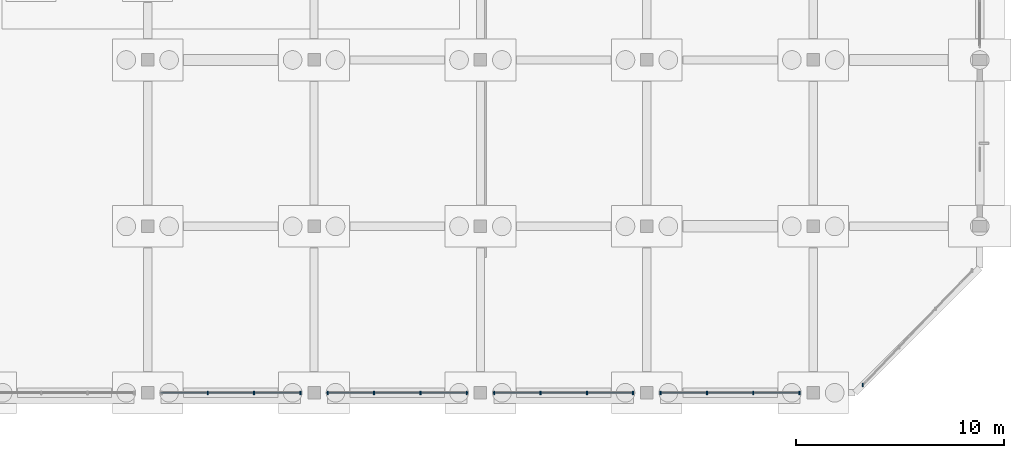
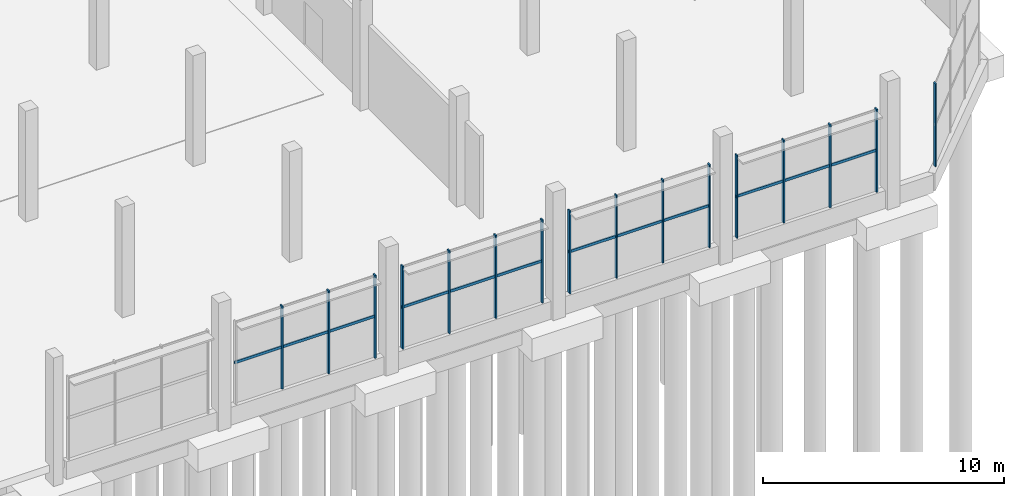
# One storey, part 49 of 98: 20 members, 5 elements without a shape of their own.
"""IFC4 building model written with IfcOpenShell, lengths in metres."""

from ifc_helpers import new_model, si_unit, derived_unit, direction, frame, origin, origin_2d, place, context, subcontext, project, spatial, rectangle, extrude, material, layer, layer_set, material_profile, profile_set, type_object, element, aggregate, save


model = new_model("IFC4")

# Units and contexts
model_context = context("Model", 3, precision=1e-05, world=origin(), true_north=direction((0.0, 1.0)))
body_context = subcontext(model_context, "Body", "Model", "MODEL_VIEW")
ifc_project = project(units=[si_unit("LENGTHUNIT", "METRE"), si_unit("AREAUNIT", "SQUARE_METRE"), si_unit("VOLUMEUNIT", "CUBIC_METRE"), si_unit("PLANEANGLEUNIT", "RADIAN"), si_unit("MASSUNIT", "GRAM", prefix="KILO"), si_unit("THERMODYNAMICTEMPERATUREUNIT", "KELVIN"), derived_unit("THERMALTRANSMITTANCEUNIT", [(si_unit("POWERUNIT", "WATT"), 1), (si_unit("AREAUNIT", "SQUARE_METRE"), -1), (si_unit("THERMODYNAMICTEMPERATUREUNIT", "KELVIN"), -1)])], contexts=[model_context])

# Site, building, storey
site_placement = place(None, origin())
site = spatial("IfcSite", under=ifc_project, at=site_placement, CompositionType="ELEMENT")
building_placement = place(site_placement, origin())
building = spatial("IfcBuilding", under=site, at=building_placement, Name="Haiyu Intermodal Mobility Hub", CompositionType="ELEMENT")
storey_placement = place(building_placement, origin())
storey = spatial("IfcBuildingStorey", under=building, at=storey_placement, Name="L00", CompositionType="ELEMENT", Elevation=0.0)

# Curtain wall, members
ifc_material_1 = material(Name="Low-e laminated insulating glass", Category="glass")
ifc_layer = layer(ifc_material_1, 0.2099609375)
ifc_layer_set = layer_set([ifc_layer], Name="Low-e laminated insulating glass")
curtain_wall_type = type_object("IfcCurtainWallType", Name="CW-CW04", PredefinedType="NOTDEFINED", material=ifc_layer_set)
curtain_wall_1_placement = place(storey_placement, origin())
curtain_wall_1 = element("IfcCurtainWall", 1, at=curtain_wall_1_placement, inside=storey, type_object=curtain_wall_type, Name="Curtain Wall CW-V5S-L00-085", PredefinedType="NOTDEFINED")
ifc_material_2 = material(Name="Anodised aluminium 6063-T6", Category="aluminium")
ifc_material_profile_1 = material_profile(ifc_material_2, rectangle(XDim=0.06494140625, YDim=0.1650390625, at=origin_2d()), Name="ALU65x165")
ifc_profile_set_1 = profile_set([ifc_material_profile_1], Name="Anodised aluminium 6063-T6")
member_type_1 = type_object("IfcMemberType", Name="CWM-ML02", PredefinedType="MULLION", material=ifc_profile_set_1)
member_1_placement = place(storey_placement, frame((172.886962890625, 16.0, 0.0), z_axis=(0.0, 0.0, 1.0), x_axis=(1.0, 0.0, 0.0)))
member_1 = element("IfcMember", 2, at=member_1_placement, type_object=member_type_1, Name="CW-V5S-L00-085-ML02", PredefinedType="MULLION", context=body_context, shape_type="SweptSolid", body=[
    extrude(rectangle(XDim=0.06494140625, YDim=0.1650390625, at=origin_2d()), origin(), (0.0, 0.0, 1.0), 4.199951171875),
])
member_2_placement = place(storey_placement, frame((175.113037109375, 16.0, 0.0), z_axis=(0.0, 0.0, 1.0), x_axis=(1.0, 0.0, 0.0)))
member_2 = element("IfcMember", 3, at=member_2_placement, type_object=member_type_1, Name="CW-V5S-L00-085-ML03", PredefinedType="MULLION", context=body_context, shape_type="SweptSolid", body=[
    extrude(rectangle(XDim=0.06494140625, YDim=0.1650390625, at=origin_2d()), origin(), (0.0, 0.0, 1.0), 4.199951171875),
])
member_3_placement = place(storey_placement, frame((177.340087890625, 16.0, 0.0), z_axis=(0.0, 0.0, 1.0), x_axis=(1.0, 0.0, 0.0)))
member_3 = element("IfcMember", 4, at=member_3_placement, type_object=member_type_1, Name="CW-V5S-L00-085-ML04", PredefinedType="MULLION", context=body_context, shape_type="SweptSolid", body=[
    extrude(rectangle(XDim=0.06494140625, YDim=0.1650390625, at=origin_2d()), origin(), (0.0, 0.0, 1.0), 4.199951171875),
])

curtain_wall_2_placement = place(storey_placement, origin())
curtain_wall_2 = element("IfcCurtainWall", 5, at=curtain_wall_2_placement, inside=storey, type_object=curtain_wall_type, Name="Curtain Wall CW-V5S-L00-086", PredefinedType="NOTDEFINED")
member_4_placement = place(storey_placement, frame((178.659912109375, 16.0, 0.0), z_axis=(0.0, 0.0, 1.0), x_axis=(1.0, 0.0, 0.0)))
member_4 = element("IfcMember", 6, at=member_4_placement, type_object=member_type_1, Name="CW-V5S-L00-086-ML01", PredefinedType="MULLION", context=body_context, shape_type="SweptSolid", body=[
    extrude(rectangle(XDim=0.06494140625, YDim=0.1650390625, at=origin_2d()), origin(), (0.0, 0.0, 1.0), 4.199951171875),
])
member_5_placement = place(storey_placement, frame((180.886962890625, 16.0, 0.0), z_axis=(0.0, 0.0, 1.0), x_axis=(1.0, 0.0, 0.0)))
member_5 = element("IfcMember", 7, at=member_5_placement, type_object=member_type_1, Name="CW-V5S-L00-086-ML02", PredefinedType="MULLION", context=body_context, shape_type="SweptSolid", body=[
    extrude(rectangle(XDim=0.06494140625, YDim=0.1650390625, at=origin_2d()), origin(), (0.0, 0.0, 1.0), 4.199951171875),
])
member_6_placement = place(storey_placement, frame((183.113037109375, 16.0, 0.0), z_axis=(0.0, 0.0, 1.0), x_axis=(1.0, 0.0, 0.0)))
member_6 = element("IfcMember", 8, at=member_6_placement, type_object=member_type_1, Name="CW-V5S-L00-086-ML03", PredefinedType="MULLION", context=body_context, shape_type="SweptSolid", body=[
    extrude(rectangle(XDim=0.06494140625, YDim=0.1650390625, at=origin_2d()), origin(), (0.0, 0.0, 1.0), 4.199951171875),
])
member_7_placement = place(storey_placement, frame((185.340087890625, 16.0, 0.0), z_axis=(0.0, 0.0, 1.0), x_axis=(1.0, 0.0, 0.0)))
member_7 = element("IfcMember", 9, at=member_7_placement, type_object=member_type_1, Name="CW-V5S-L00-086-ML04", PredefinedType="MULLION", context=body_context, shape_type="SweptSolid", body=[
    extrude(rectangle(XDim=0.06494140625, YDim=0.1650390625, at=origin_2d()), origin(), (0.0, 0.0, 1.0), 4.199951171875),
])

curtain_wall_3_placement = place(storey_placement, origin())
curtain_wall_3 = element("IfcCurtainWall", 10, at=curtain_wall_3_placement, inside=storey, type_object=curtain_wall_type, Name="Curtain Wall CW-V5S-L00-087", PredefinedType="NOTDEFINED")
member_8_placement = place(storey_placement, frame((186.659912109375, 16.0, 0.0), z_axis=(0.0, 0.0, 1.0), x_axis=(1.0, 0.0, 0.0)))
member_8 = element("IfcMember", 11, at=member_8_placement, type_object=member_type_1, Name="CW-V5S-L00-087-ML01", PredefinedType="MULLION", context=body_context, shape_type="SweptSolid", body=[
    extrude(rectangle(XDim=0.06494140625, YDim=0.1650390625, at=origin_2d()), origin(), (0.0, 0.0, 1.0), 4.199951171875),
])
member_9_placement = place(storey_placement, frame((188.886962890625, 16.0, 0.0), z_axis=(0.0, 0.0, 1.0), x_axis=(1.0, 0.0, 0.0)))
member_9 = element("IfcMember", 12, at=member_9_placement, type_object=member_type_1, Name="CW-V5S-L00-087-ML02", PredefinedType="MULLION", context=body_context, shape_type="SweptSolid", body=[
    extrude(rectangle(XDim=0.06494140625, YDim=0.1650390625, at=origin_2d()), origin(), (0.0, 0.0, 1.0), 4.199951171875),
])
member_10_placement = place(storey_placement, frame((191.113037109375, 16.0, 0.0), z_axis=(0.0, 0.0, 1.0), x_axis=(1.0, 0.0, 0.0)))
member_10 = element("IfcMember", 13, at=member_10_placement, type_object=member_type_1, Name="CW-V5S-L00-087-ML03", PredefinedType="MULLION", context=body_context, shape_type="SweptSolid", body=[
    extrude(rectangle(XDim=0.06494140625, YDim=0.1650390625, at=origin_2d()), origin(), (0.0, 0.0, 1.0), 4.199951171875),
])
member_11_placement = place(storey_placement, frame((193.340087890625, 16.0, 0.0), z_axis=(0.0, 0.0, 1.0), x_axis=(1.0, 0.0, 0.0)))
member_11 = element("IfcMember", 14, at=member_11_placement, type_object=member_type_1, Name="CW-V5S-L00-087-ML04", PredefinedType="MULLION", context=body_context, shape_type="SweptSolid", body=[
    extrude(rectangle(XDim=0.06494140625, YDim=0.1650390625, at=origin_2d()), origin(), (0.0, 0.0, 1.0), 4.199951171875),
])

curtain_wall_4_placement = place(storey_placement, origin())
curtain_wall_4 = element("IfcCurtainWall", 15, at=curtain_wall_4_placement, inside=storey, type_object=curtain_wall_type, Name="Curtain Wall CW-V5S-L00-088", PredefinedType="NOTDEFINED")
member_12_placement = place(storey_placement, frame((194.659912109375, 16.0, 0.0), z_axis=(0.0, 0.0, 1.0), x_axis=(1.0, 0.0, 0.0)))
member_12 = element("IfcMember", 16, at=member_12_placement, type_object=member_type_1, Name="CW-V5S-L00-088-ML01", PredefinedType="MULLION", context=body_context, shape_type="SweptSolid", body=[
    extrude(rectangle(XDim=0.06494140625, YDim=0.1650390625, at=origin_2d()), origin(), (0.0, 0.0, 1.0), 4.199951171875),
])
member_13_placement = place(storey_placement, frame((196.886962890625, 16.0, 0.0), z_axis=(0.0, 0.0, 1.0), x_axis=(1.0, 0.0, 0.0)))
member_13 = element("IfcMember", 17, at=member_13_placement, type_object=member_type_1, Name="CW-V5S-L00-088-ML02", PredefinedType="MULLION", context=body_context, shape_type="SweptSolid", body=[
    extrude(rectangle(XDim=0.06494140625, YDim=0.1650390625, at=origin_2d()), origin(), (0.0, 0.0, 1.0), 4.199951171875),
])
member_14_placement = place(storey_placement, frame((199.113037109375, 16.0, 0.0), z_axis=(0.0, 0.0, 1.0), x_axis=(1.0, 0.0, 0.0)))
member_14 = element("IfcMember", 18, at=member_14_placement, type_object=member_type_1, Name="CW-V5S-L00-088-ML03", PredefinedType="MULLION", context=body_context, shape_type="SweptSolid", body=[
    extrude(rectangle(XDim=0.06494140625, YDim=0.1650390625, at=origin_2d()), origin(), (0.0, 0.0, 1.0), 4.199951171875),
])
member_15_placement = place(storey_placement, frame((201.340087890625, 16.0, 0.0), z_axis=(0.0, 0.0, 1.0), x_axis=(1.0, 0.0, 0.0)))
member_15 = element("IfcMember", 19, at=member_15_placement, type_object=member_type_1, Name="CW-V5S-L00-088-ML04", PredefinedType="MULLION", context=body_context, shape_type="SweptSolid", body=[
    extrude(rectangle(XDim=0.06494140625, YDim=0.1650390625, at=origin_2d()), origin(), (0.0, 0.0, 1.0), 4.199951171875),
])

# Curtain wall, member
curtain_wall_5_placement = place(storey_placement, origin())
curtain_wall_5 = element("IfcCurtainWall", 20, at=curtain_wall_5_placement, inside=storey, type_object=curtain_wall_type, Name="Curtain Wall CW-V5CH-L00-178", PredefinedType="NOTDEFINED")
member_16_placement = place(storey_placement, frame((204.3779296875, 16.37890625, 0.0), z_axis=(0.0, 0.0, 1.0), x_axis=(1.0, 0.0, 0.0)))
member_16 = element("IfcMember", 21, at=member_16_placement, type_object=member_type_1, Name="CW-V5CH-L00-178-ML01", PredefinedType="MULLION", context=body_context, shape_type="SweptSolid", body=[
    extrude(rectangle(XDim=0.06494140625, YDim=0.1650390625, at=origin_2d()), origin(), (0.0, 0.0, 1.0), 4.199951171875),
])
aggregate(curtain_wall_5, [member_16])

# Member
ifc_material_profile_2 = material_profile(ifc_material_2, rectangle(XDim=0.06494140625, YDim=0.135009765625, at=origin_2d()), Name="ALU65x135")
ifc_profile_set_2 = profile_set([ifc_material_profile_2], Name="Anodised aluminium 6063-T6")
member_type_2 = type_object("IfcMemberType", Name="CWM-TR02", PredefinedType="USERDEFINED", material=ifc_profile_set_2)
member_17_placement = place(storey_placement, frame((170.6201171875, 16.0, 2.10009765625), z_axis=(1.0, 0.0, 0.0), x_axis=(0.0, 1.0, 0.0)))
member_17 = element("IfcMember", 22, at=member_17_placement, type_object=member_type_2, Name="CW-V5S-L00-085-TR01", ObjectType="TRANSOM", PredefinedType="USERDEFINED", context=body_context, shape_type="SweptSolid", body=[
    extrude(rectangle(XDim=0.06494140625, YDim=0.135009765625, at=origin_2d()), origin(), (0.0, 0.0, 1.0), 6.759765625),
])

aggregate(curtain_wall_1, [member_1, member_2, member_3, member_17])

member_18_placement = place(storey_placement, frame((178.6201171875, 16.0, 2.10009765625), z_axis=(1.0, 0.0, 0.0), x_axis=(0.0, 1.0, 0.0)))
member_18 = element("IfcMember", 23, at=member_18_placement, type_object=member_type_2, Name="CW-V5S-L00-086-TR01", ObjectType="TRANSOM", PredefinedType="USERDEFINED", context=body_context, shape_type="SweptSolid", body=[
    extrude(rectangle(XDim=0.06494140625, YDim=0.135009765625, at=origin_2d()), origin(), (0.0, 0.0, 1.0), 6.759765625),
])

aggregate(curtain_wall_2, [member_4, member_5, member_6, member_7, member_18])

member_19_placement = place(storey_placement, frame((186.6201171875, 16.0, 2.10009765625), z_axis=(1.0, 0.0, 0.0), x_axis=(0.0, 1.0, 0.0)))
member_19 = element("IfcMember", 24, at=member_19_placement, type_object=member_type_2, Name="CW-V5S-L00-087-TR01", ObjectType="TRANSOM", PredefinedType="USERDEFINED", context=body_context, shape_type="SweptSolid", body=[
    extrude(rectangle(XDim=0.06494140625, YDim=0.135009765625, at=origin_2d()), origin(), (0.0, 0.0, 1.0), 6.759765625),
])

aggregate(curtain_wall_3, [member_8, member_9, member_10, member_11, member_19])

member_20_placement = place(storey_placement, frame((194.6201171875, 16.0, 2.10009765625), z_axis=(1.0, 0.0, 0.0), x_axis=(0.0, 1.0, 0.0)))
member_20 = element("IfcMember", 25, at=member_20_placement, type_object=member_type_2, Name="CW-V5S-L00-088-TR01", ObjectType="TRANSOM", PredefinedType="USERDEFINED", context=body_context, shape_type="SweptSolid", body=[
    extrude(rectangle(XDim=0.06494140625, YDim=0.135009765625, at=origin_2d()), origin(), (0.0, 0.0, 1.0), 6.759765625),
])

aggregate(curtain_wall_4, [member_12, member_13, member_14, member_15, member_20])

save(model, "model.ifc")
